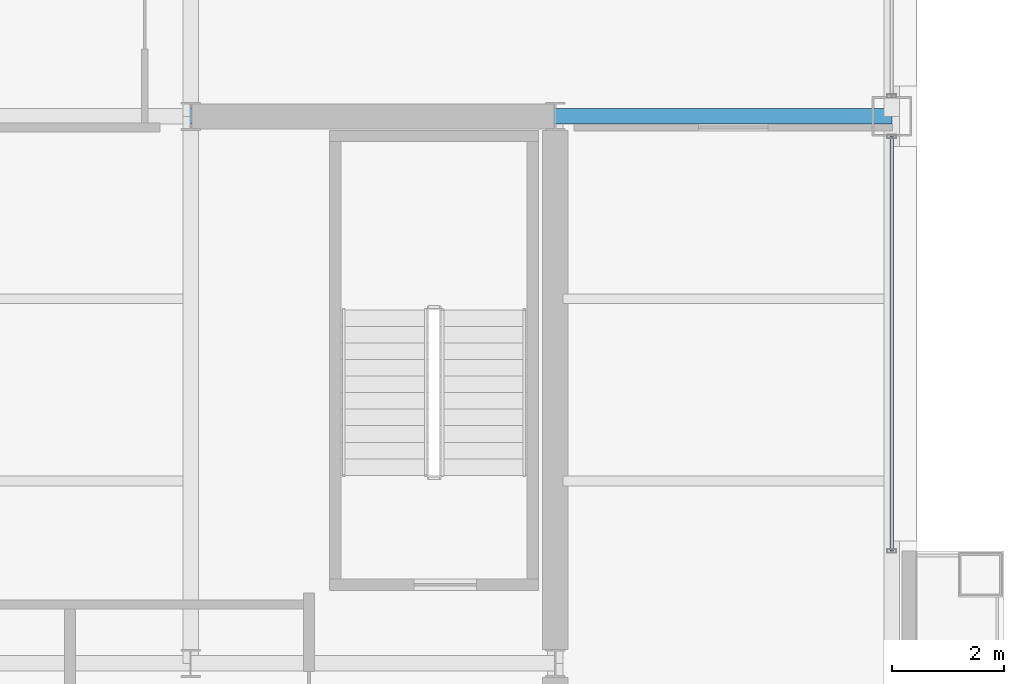
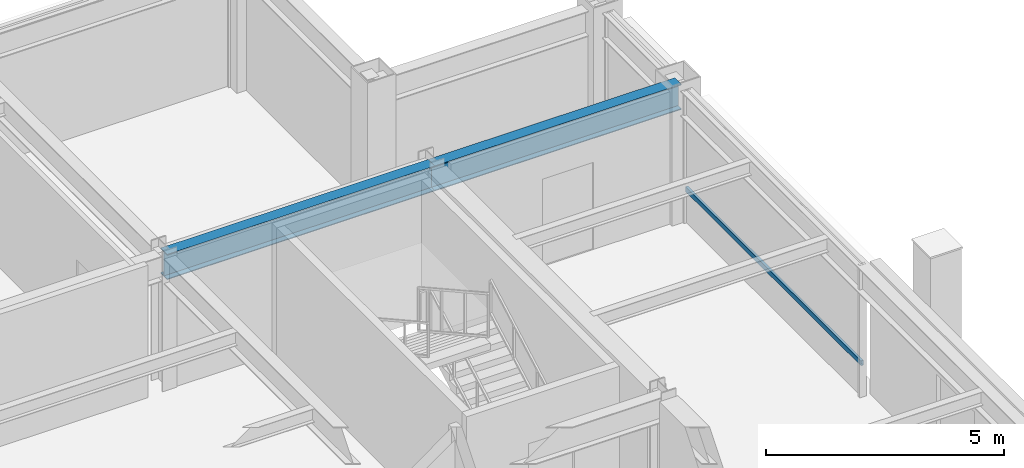
# One storey, part 17 of 30: 2 beams, 1 member, 1 element without a shape of its own.
"""IFC4 building model written with IfcOpenShell, lengths in metres."""

from ifc_helpers import new_model, si_unit, direction, frame, origin, origin_2d, place, context, subcontext, project, spatial, hollow_rectangle, i_section, extrude, material, layer, layer_set, material_profile, profile_set, type_object, element, aggregate, save


model = new_model("IFC4")

# Units and contexts
model_context = context("Model", 3, precision=1e-05, world=origin(), true_north=direction((0.0, 1.0)))
body_context = subcontext(model_context, "Body", "Model", "MODEL_VIEW")
ifc_project = project(units=[si_unit("LENGTHUNIT", "METRE"), si_unit("AREAUNIT", "SQUARE_METRE"), si_unit("VOLUMEUNIT", "CUBIC_METRE"), si_unit("PLANEANGLEUNIT", "RADIAN"), si_unit("MASSUNIT", "GRAM", prefix="KILO")], contexts=[model_context])

# Site, building, storey
site_placement = place(None, origin())
site = spatial("IfcSite", under=ifc_project, at=site_placement, CompositionType="ELEMENT")
building_placement = place(site_placement, origin())
building = spatial("IfcBuilding", under=site, at=building_placement, Name="Brelmoor Portico Tower", CompositionType="ELEMENT")
storey_placement = place(building_placement, frame((0.0, 0.0, 187.5)))
storey = spatial("IfcBuildingStorey", under=building, at=storey_placement, Name="L49", CompositionType="ELEMENT", Elevation=187.5)

# Beams
ifc_material_1 = material(Name="Steel Q355B", Category="steel")
ifc_material_profile_1 = material_profile(ifc_material_1, i_section(OverallWidth=0.280029296875, OverallDepth=0.64990234375, WebThickness=0.012939453125, FlangeThickness=0.02197265625, at=origin_2d()), Name="HN 650x280x13x22")
ifc_profile_set_1 = profile_set([ifc_material_profile_1], Name="Steel Q355B")
beam_type = type_object("IfcBeamType", Name="BM-PG-650", PredefinedType="BEAM", material=ifc_profile_set_1)
beam_1_placement = place(storey_placement, frame((8.050048828125, 9.75, 3.074951171875), z_axis=(1.0, 0.0, 0.0), x_axis=(0.0, 1.0, 0.0)))
element("IfcBeam", 1, at=beam_1_placement, inside=storey, type_object=beam_type, Name="L49 Primary Floor Girder PG-22", PredefinedType="BEAM", context=body_context, shape_type="SweptSolid", body=[
    extrude(i_section(OverallWidth=0.280029296875, OverallDepth=0.64990234375, WebThickness=0.012939453125, FlangeThickness=0.02197265625, at=origin_2d()), origin(), (0.0, 0.0, 1.0), 6.5),
])
beam_2_placement = place(storey_placement, frame((14.550048828125, 9.75, 3.074951171875), z_axis=(1.0, 0.0, 0.0), x_axis=(0.0, 1.0, 0.0)))
element("IfcBeam", 2, at=beam_2_placement, inside=storey, type_object=beam_type, Name="L49 Primary Floor Girder PG-23", PredefinedType="BEAM", context=body_context, shape_type="SweptSolid", body=[
    extrude(i_section(OverallWidth=0.280029296875, OverallDepth=0.64990234375, WebThickness=0.012939453125, FlangeThickness=0.02197265625, at=origin_2d()), origin(), (0.0, 0.0, 1.0), 6.0),
])

# Curtain wall, member
ifc_material_2 = material(Name="Anodised Aluminium Alloy 6063-T6", Category="aluminium")
ifc_layer = layer(ifc_material_2, 0.179931640625)
ifc_layer_set = layer_set([ifc_layer], Name="Anodised Aluminium Alloy 6063-T6")
curtain_wall_type = type_object("IfcCurtainWallType", Name="CW-TOWER-Z3", PredefinedType="NOTDEFINED", material=ifc_layer_set)
curtain_wall_placement = place(storey_placement, origin())
curtain_wall = element("IfcCurtainWall", 3, at=curtain_wall_placement, inside=storey, type_object=curtain_wall_type, Name="L49 Curtain Wall CW-L49-4R-1", PredefinedType="NOTDEFINED")
ifc_material_profile_2 = material_profile(ifc_material_2, hollow_rectangle(XDim=0.06005859375, YDim=0.125, WallThickness=0.00341796875, at=origin_2d()), Name="ALU TRANSOM 60x125")
ifc_profile_set_2 = profile_set([ifc_material_profile_2], Name="Anodised Aluminium Alloy 6063-T6")
member_type = type_object("IfcMemberType", Name="MB-CW-TRAN-125", PredefinedType="USERDEFINED", material=ifc_profile_set_2)
member_placement = place(storey_placement, frame((20.550048828125, 2.0, 0.85009765625), z_axis=(0.0, 1.0, 0.0), x_axis=(-1.0, 0.0, 0.0)))
member = element("IfcMember", 4, at=member_placement, type_object=member_type, Name="CW-L49-4R-1 Transom 1-00", ObjectType="TRANSOM", PredefinedType="USERDEFINED", context=body_context, shape_type="SweptSolid", body=[
    extrude(hollow_rectangle(XDim=0.06005859375, YDim=0.125, WallThickness=0.00341796875, at=origin_2d()), origin(), (0.0, 0.0, 1.0), 7.389892578125),
])
aggregate(curtain_wall, [member])

save(model, "model.ifc")
